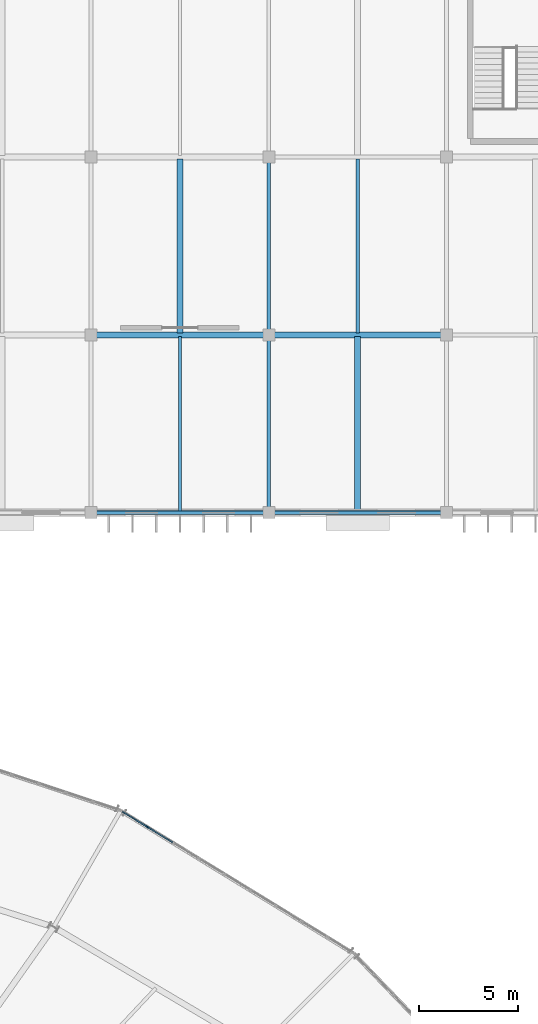
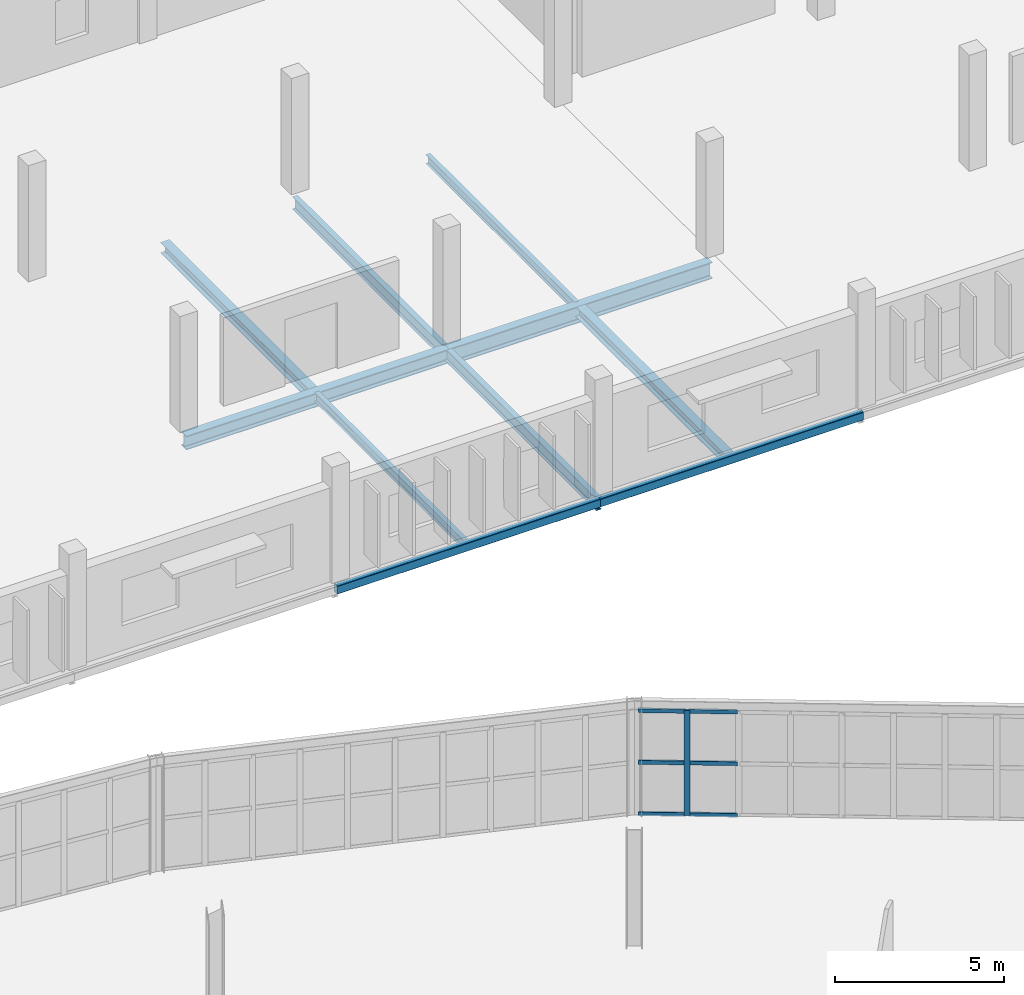
# One storey, part 101 of 161: 10 beams, 7 members, 1 element without a shape of its own.
"""IFC4 building model written with IfcOpenShell, lengths in metres."""

import ifcopenshell
import ifcopenshell.guid

model = None  # the IFC model being written
_history = None  # IfcOwnerHistory: only IFC2X3 demands one
_inside = {}  # id of a spatial element -> (the spatial element, [elements in it])
_under = {}  # id of a project, library or spatial element -> (it, [spatial elements below it])
_declared = {}  # id of a project -> (the project, [libraries it declares])
_typed = {}  # id of a type object -> (the type object, [elements of that type])
_made_of = {}  # id of a material, layer set ... -> (it, [elements and type objects made of it])


def new_model(schema):
    """Start an empty IFC model of exactly this schema.

    Asked for "IFC4X3", IfcOpenShell would pick the latest addendum, in which some entities
    have other attributes; the version numbers below select the first issue.
    IFC2X3 requires an IfcOwnerHistory on every rooted entity: one is made here for all.
    """
    global model, _history
    if schema == "IFC4X3":
        model = ifcopenshell.file(schema_version=(4, 3, 0, 0))
    else:
        model = ifcopenshell.file(schema=schema)
    _inside.clear()
    _under.clear()
    _declared.clear()
    _typed.clear()
    _made_of.clear()
    _history = None
    if model.schema == "IFC2X3":
        org = make("IfcOrganization", Name="unknown")
        user = make(
            "IfcPersonAndOrganization",
            ThePerson=make("IfcPerson", FamilyName="unknown"),
            TheOrganization=org,
        )
        app = make(
            "IfcApplication",
            ApplicationDeveloper=org,
            Version="unknown",
            ApplicationFullName="unknown",
            ApplicationIdentifier="unknown",
        )
        _history = make(
            "IfcOwnerHistory",
            OwningUser=user,
            OwningApplication=app,
            ChangeAction="ADDED",
            CreationDate=0,
        )
    return model


def make(cls, **values):
    """One entity of the class cls with the attributes given. An attribute that is None is left unset."""
    return model.create_entity(
        cls, **{name: value for name, value in values.items() if value is not None}
    )


def rooted(cls, **values):
    """An entity with a GlobalId (a new one), such as an element, a storey or a relation."""
    return make(cls, GlobalId=ifcopenshell.guid.new(), OwnerHistory=_history, **values)


def si_unit(unit_type, name, prefix=None):
    """IfcSIUnit, for example si_unit("LENGTHUNIT", "METRE", prefix="MILLI")."""
    return make("IfcSIUnit", UnitType=unit_type, Prefix=prefix, Name=name)


def assignment(units):
    """IfcUnitAssignment: the units of a project."""
    return None if units is None else make("IfcUnitAssignment", Units=units)


def point(xyz):
    """IfcCartesianPoint."""
    return None if xyz is None else make("IfcCartesianPoint", Coordinates=xyz)


def direction(xyz):
    """IfcDirection."""
    return None if xyz is None else make("IfcDirection", DirectionRatios=xyz)


def frame(location, z_axis=None, x_axis=None):
    """IfcAxis2Placement3D, a coordinate frame: its origin and axes. An axis left out is left unset."""
    return make(
        "IfcAxis2Placement3D",
        Location=point(location),
        Axis=direction(z_axis),
        RefDirection=direction(x_axis),
    )


def frame_2d(location, x_axis=None):
    """IfcAxis2Placement2D, a coordinate frame in the plane: its origin and x axis."""
    return make(
        "IfcAxis2Placement2D", Location=point(location), RefDirection=direction(x_axis)
    )


def origin():
    """The frame at (0, 0, 0) with its axes left unset."""
    return frame((0.0, 0.0, 0.0))


def origin_2d():
    """The frame at (0, 0) in the plane with its x axis left unset."""
    return frame_2d((0.0, 0.0))


def place(relative_to, where):
    """IfcLocalPlacement: puts the frame where relative to a parent placement (None: the world)."""
    return make(
        "IfcLocalPlacement", PlacementRelTo=relative_to, RelativePlacement=where
    )


def context(
    kind, dimensions, precision=None, world=None, true_north=None, identifier=None
):
    """IfcGeometricRepresentationContext, for example the 3D "Model" context."""
    return make(
        "IfcGeometricRepresentationContext",
        ContextIdentifier=identifier,
        ContextType=kind,
        CoordinateSpaceDimension=dimensions,
        Precision=precision,
        WorldCoordinateSystem=world,
        TrueNorth=true_north,
    )


def subcontext(parent, identifier, kind, view, scale=None):
    """IfcGeometricRepresentationSubContext, for example "Body" below "Model"."""
    return make(
        "IfcGeometricRepresentationSubContext",
        ContextIdentifier=identifier,
        ContextType=kind,
        ParentContext=parent,
        TargetScale=scale,
        TargetView=view,
    )


def project(units=None, contexts=None):
    """IfcProject with its units and contexts."""
    return rooted(
        "IfcProject",
        Name="project",
        RepresentationContexts=contexts,
        UnitsInContext=assignment(units),
    )


def spatial(cls, under=None, at=None, **own):
    """A site, building, storey or space (cls), placed at a placement, below another one or the project."""
    s = rooted(cls, ObjectPlacement=at, **own)
    if under is not None:
        _under.setdefault(under.id(), (under, []))[1].append(s)
    return s


def profile(cls, at=None, kind="AREA", **sizes):
    """A parametric profile (cls). Its sizes go by their IFC names, for example OverallWidth=200.0."""
    return make(cls, ProfileType=kind, Position=at, **sizes)


def rectangle(**sizes):
    """IfcRectangleProfileDef."""
    return profile("IfcRectangleProfileDef", **sizes)


def hollow_rectangle(**sizes):
    """IfcRectangleHollowProfileDef."""
    return profile("IfcRectangleHollowProfileDef", **sizes)


def i_section(**sizes):
    """IfcIShapeProfileDef."""
    return profile("IfcIShapeProfileDef", **sizes)


def extrude(swept, where, along, depth):
    """IfcExtrudedAreaSolid: the profile swept, set in the frame where, extruded along a direction by depth."""
    return make(
        "IfcExtrudedAreaSolid",
        SweptArea=swept,
        Position=where,
        ExtrudedDirection=direction(along),
        Depth=depth,
    )


def shape(context_of_items, identifier, shape_type, items):
    """IfcShapeRepresentation: the items that make up one representation, for example the "Body"."""
    return make(
        "IfcShapeRepresentation",
        ContextOfItems=context_of_items,
        RepresentationIdentifier=identifier,
        RepresentationType=shape_type,
        Items=items,
    )


def material(Name=None, Category=None):
    """IfcMaterial."""
    return make("IfcMaterial", Name=Name, Category=Category)


def material_profile(
    of_material, cross_section, Name=None, Category=None, Priority=None
):
    """IfcMaterialProfile: a cross section and its material."""
    return make(
        "IfcMaterialProfile",
        Name=Name,
        Material=of_material,
        Profile=cross_section,
        Priority=Priority,
        Category=Category,
    )


def profile_set(profiles, Name=None, composite=None):
    """IfcMaterialProfileSet."""
    return make(
        "IfcMaterialProfileSet",
        Name=Name,
        MaterialProfiles=profiles,
        CompositeProfile=composite,
    )


def made_of(thing, what):
    """Note that an element or type object is made of a material, layer set ...; save() writes the relation."""
    if what is not None:
        _made_of.setdefault(what.id(), (what, []))[1].append(thing)
    return thing


def type_object(cls, material=None, **own):
    """A type object (cls), such as IfcWallType, which elements share."""
    return made_of(rooted(cls, **own), material)


def element(
    cls,
    number,
    at=None,
    inside=None,
    cuts=None,
    type_object=None,
    material=None,
    context=None,
    identifier="Body",
    shape_type=None,
    held_by="IfcProductDefinitionShape",
    body=None,
    shapes=None,
    **own,
):
    """One element of the class cls, such as IfcWall. Its Tag is "e" and its number.

    at: its placement. inside: the storey or other place that contains it. cuts: it is an
    opening in that element (IfcRelVoidsElement). A single representation is given by context,
    identifier, shape_type and body (its items); several are given by shapes. held_by: the class
    of the entity that holds the representations. save() writes the other relations.
    """
    e = rooted(cls, Tag="e%d" % number, ObjectPlacement=at, **own)
    if body is not None:
        shapes = [shape(context, identifier, shape_type, body)]
    if shapes is not None:
        e.Representation = make(held_by, Representations=shapes)
    if inside is not None:
        _inside.setdefault(inside.id(), (inside, []))[1].append(e)
    if cuts is not None:
        rooted(
            "IfcRelVoidsElement", RelatingBuildingElement=cuts, RelatedOpeningElement=e
        )
    if type_object is not None:
        _typed.setdefault(type_object.id(), (type_object, []))[1].append(e)
    return made_of(e, material)


def aggregate(whole, parts):
    """IfcRelAggregates: a whole, such as a stair, and the parts it consists of."""
    return rooted("IfcRelAggregates", RelatingObject=whole, RelatedObjects=parts)


def save(model, path):
    """Write the relations noted so far, then the file.

    IfcRelAggregates (storeys below a building ...), IfcRelContainedInSpatialStructure (elements
    in a storey), IfcRelDefinesByType, IfcRelAssociatesMaterial and IfcRelDeclares: one each for
    every whole, place, type object, material and project.
    """
    for whole, parts in _under.values():
        aggregate(whole, parts)
    for where, things in _inside.values():
        rooted(
            "IfcRelContainedInSpatialStructure",
            RelatedElements=things,
            RelatingStructure=where,
        )
    for kind, things in _typed.values():
        rooted("IfcRelDefinesByType", RelatedObjects=things, RelatingType=kind)
    for what, things in _made_of.values():
        rooted("IfcRelAssociatesMaterial", RelatedObjects=things, RelatingMaterial=what)
    for by, libraries in _declared.values():
        rooted("IfcRelDeclares", RelatingContext=by, RelatedDefinitions=libraries)
    model.write(path)


model = new_model("IFC4")

# Units and contexts
model_context = context("Model", 3, precision=1e-05, world=origin(), true_north=direction((0.0, 1.0)))
body_context = subcontext(model_context, "Body", "Model", "MODEL_VIEW")
ifc_project = project(units=[si_unit("LENGTHUNIT", "METRE"), si_unit("AREAUNIT", "SQUARE_METRE"), si_unit("VOLUMEUNIT", "CUBIC_METRE"), si_unit("PLANEANGLEUNIT", "RADIAN"), si_unit("MASSUNIT", "GRAM", prefix="KILO")], contexts=[model_context])

# Site, building, storey
site_placement = place(None, origin())
site = spatial("IfcSite", under=ifc_project, at=site_placement, CompositionType="ELEMENT")
building_placement = place(site_placement, origin())
building = spatial("IfcBuilding", under=site, at=building_placement, Name="Kildeholm Park Wholesale Market", CompositionType="ELEMENT")
storey_placement = place(building_placement, frame((0.0, 0.0, 5.39990234375)))
storey = spatial("IfcBuildingStorey", under=building, at=storey_placement, Name="L01", CompositionType="ELEMENT", Elevation=5.39990234375)

# Beams
ifc_material_1 = material(Name="Steel S355", Category="steel")
ifc_material_profile_1 = material_profile(ifc_material_1, i_section(OverallWidth=0.18994140625, OverallDepth=0.449951171875, WebThickness=0.009521484375, FlangeThickness=0.0146484375, FilletRadius=0.02099609375, at=origin_2d()), Name="IPE 450")
ifc_profile_set_1 = profile_set([ifc_material_profile_1], Name="Steel S355")
beam_type_1 = type_object("IfcBeamType", Name="Beam B-P02 IPE 450", PredefinedType="BEAM", material=ifc_profile_set_1)
for number, where, z_axis, x_axis, name in (
    (1, (135.0, 144.0, -0.544921875), (0.0, 1.0, 0.0), (-1.0, 0.0, 0.0), "Beam BM-V4-L01-Y-135-144 BM-0630"),
    (2, (135.0, 153.0, -0.544921875), (0.0, 1.0, 0.0), (-1.0, 0.0, 0.0), "Beam BM-V4-L01-Y-135-153 BM-0633"),
):
    element("IfcBeam", number, at=place(storey_placement, frame(where, z_axis=z_axis, x_axis=x_axis)), inside=storey, type_object=beam_type_1, Name=name, PredefinedType="BEAM", context=body_context, shape_type="SweptSolid", body=[
        extrude(i_section(OverallWidth=0.18994140625, OverallDepth=0.449951171875, WebThickness=0.009521484375, FlangeThickness=0.0146484375, FilletRadius=0.02099609375, at=origin_2d()), origin(), (0.0, 0.0, 1.0), 9.0),
    ])
ifc_material_profile_2 = material_profile(ifc_material_1, i_section(OverallWidth=0.300048828125, OverallDepth=0.5, WebThickness=0.014404296875, FlangeThickness=0.028076171875, FilletRadius=0.027099609375, at=origin_2d()), Name="HEB 500")
ifc_profile_set_2 = profile_set([ifc_material_profile_2], Name="Steel S355")
beam_type_2 = type_object("IfcBeamType", Name="Beam B-X05 HEB 500", PredefinedType="BEAM", material=ifc_profile_set_2)
beam_1_placement = place(storey_placement, frame((126.0, 153.0, -0.56982421875), z_axis=(1.0, 0.0, 0.0), x_axis=(0.0, 1.0, 0.0)))
element("IfcBeam", 3, at=beam_1_placement, inside=storey, type_object=beam_type_2, Name="Beam BM-V4-L01-X-126-153 BM-0622", PredefinedType="BEAM", context=body_context, shape_type="SweptSolid", body=[
    extrude(i_section(OverallWidth=0.300048828125, OverallDepth=0.5, WebThickness=0.014404296875, FlangeThickness=0.028076171875, FilletRadius=0.027099609375, at=origin_2d()), origin(), (0.0, 0.0, 1.0), 9.0),
])
ifc_material_profile_3 = material_profile(ifc_material_1, i_section(OverallWidth=0.300048828125, OverallDepth=0.60009765625, WebThickness=0.015380859375, FlangeThickness=0.030029296875, FilletRadius=0.027099609375, at=origin_2d()), Name="HEB 600")
ifc_profile_set_3 = profile_set([ifc_material_profile_3], Name="Steel S355")
beam_type_3 = type_object("IfcBeamType", Name="Beam B-X06 HEB 600", PredefinedType="BEAM", material=ifc_profile_set_3)
beam_2_placement = place(storey_placement, frame((135.0, 153.0, -0.619873046875), z_axis=(1.0, 0.0, 0.0), x_axis=(0.0, 1.0, 0.0)))
element("IfcBeam", 4, at=beam_2_placement, inside=storey, type_object=beam_type_3, Name="Beam BM-V4-L01-X-135-153 BM-0632", PredefinedType="BEAM", context=body_context, shape_type="SweptSolid", body=[
    extrude(i_section(OverallWidth=0.300048828125, OverallDepth=0.60009765625, WebThickness=0.015380859375, FlangeThickness=0.030029296875, FilletRadius=0.027099609375, at=origin_2d()), origin(), (0.0, 0.0, 1.0), 9.0),
])
ifc_material_profile_4 = material_profile(ifc_material_1, i_section(OverallWidth=0.159912109375, OverallDepth=0.330078125, WebThickness=0.007568359375, FlangeThickness=0.011474609375, FilletRadius=0.01806640625, at=origin_2d()), Name="IPE 330")
ifc_profile_set_4 = profile_set([ifc_material_profile_4], Name="Steel S355")
beam_type_4 = type_object("IfcBeamType", Name="Beam J-03 IPE 330", PredefinedType="JOIST", material=ifc_profile_set_4)
for number, where, z_axis, x_axis, name in (
    (5, (130.5, 144.0849609375, -0.48486328125), (0.0, 1.0, 0.0), (-1.0, 0.0, 0.0), "Beam JT-V4-L01-126-144 BM-0621"),
    (6, (139.5, 153.0849609375, -0.48486328125), (0.0, 1.0, 0.0), (-1.0, 0.0, 0.0), "Beam JT-V4-L01-135-153 BM-0634"),
):
    element("IfcBeam", number, at=place(storey_placement, frame(where, z_axis=z_axis, x_axis=x_axis)), inside=storey, type_object=beam_type_4, Name=name, PredefinedType="JOIST", context=body_context, shape_type="SweptSolid", body=[
        extrude(i_section(OverallWidth=0.159912109375, OverallDepth=0.330078125, WebThickness=0.007568359375, FlangeThickness=0.011474609375, FilletRadius=0.01806640625, at=origin_2d()), origin(), (0.0, 0.0, 1.0), 8.830078125),
    ])
ifc_material_profile_5 = material_profile(ifc_material_1, i_section(OverallWidth=0.300048828125, OverallDepth=0.389892578125, WebThickness=0.010986328125, FlangeThickness=0.01904296875, FilletRadius=0.027099609375, at=origin_2d()), Name="HEA 400")
ifc_profile_set_5 = profile_set([ifc_material_profile_5], Name="Steel S355")
beam_type_5 = type_object("IfcBeamType", Name="Beam J-06 HEA 400", PredefinedType="JOIST", material=ifc_profile_set_5)
for number, where, z_axis, x_axis, name in (
    (7, (130.5, 153.0849609375, -0.514892578125), (0.0, 1.0, 0.0), (-1.0, 0.0, 0.0), "Beam JT-V4-L01-126-153 BM-0624"),
    (8, (139.5, 144.0849609375, -0.514892578125), (0.0, 1.0, 0.0), (-1.0, 0.0, 0.0), "Beam JT-V4-L01-135-144 BM-0631"),
):
    element("IfcBeam", number, at=place(storey_placement, frame(where, z_axis=z_axis, x_axis=x_axis)), inside=storey, type_object=beam_type_5, Name=name, PredefinedType="JOIST", context=body_context, shape_type="SweptSolid", body=[
        extrude(i_section(OverallWidth=0.300048828125, OverallDepth=0.389892578125, WebThickness=0.010986328125, FlangeThickness=0.01904296875, FilletRadius=0.027099609375, at=origin_2d()), origin(), (0.0, 0.0, 1.0), 8.830078125),
    ])
ifc_material_profile_6 = material_profile(ifc_material_1, hollow_rectangle(XDim=0.199951171875, YDim=0.300048828125, WallThickness=0.012451171875, InnerFilletRadius=0.012451171875, OuterFilletRadius=0.02490234375, at=origin_2d()), Name="RHS 300x200x12.5")
ifc_profile_set_6 = profile_set([ifc_material_profile_6], Name="Steel S355")
beam_type_6 = type_object("IfcBeamType", Name="Beam SP-01 RHS 300x200x12.5", PredefinedType="SPANDREL", material=ifc_profile_set_6)
for number, where, z_axis, x_axis, name in (
    (9, (126.0, 144.0, -0.469970703125), (1.0, 0.0, 0.0), (0.0, 1.0, 0.0), "Beam BM-V4-L01-X-126-144 BM-0619"),
    (10, (135.0, 144.0, -0.469970703125), (1.0, 0.0, 0.0), (0.0, 1.0, 0.0), "Beam BM-V4-L01-X-135-144 BM-0629"),
):
    element("IfcBeam", number, at=place(storey_placement, frame(where, z_axis=z_axis, x_axis=x_axis)), inside=storey, type_object=beam_type_6, Name=name, PredefinedType="SPANDREL", context=body_context, shape_type="SweptSolid", body=[
        extrude(hollow_rectangle(XDim=0.199951171875, YDim=0.300048828125, WallThickness=0.012451171875, InnerFilletRadius=0.012451171875, OuterFilletRadius=0.02490234375, at=origin_2d()), origin(), (0.0, 0.0, 1.0), 9.0),
    ])

# Curtain wall, members
ifc_material_2 = material(Name="Anodised aluminium and low-E double-glazed glass", Category="aluminium")
curtain_wall_type = type_object("IfcCurtainWallType", Name="Market hall glazed arcade stick curtain wall CW-01", PredefinedType="NOTDEFINED", material=ifc_material_2)
curtain_wall_placement = place(storey_placement, origin())
curtain_wall = element("IfcCurtainWall", 11, at=curtain_wall_placement, inside=storey, type_object=curtain_wall_type, Name="Curtain wall CW-V1-OT-03-1 CW-0016", PredefinedType="NOTDEFINED")
ifc_material_3 = material(Name="Anodised aluminium", Category="aluminium")
ifc_material_profile_7 = material_profile(ifc_material_3, rectangle(XDim=0.06494140625, YDim=0.179931640625, at=origin_2d()), Name="CWM 65x180")
ifc_profile_set_7 = profile_set([ifc_material_profile_7], Name="Anodised aluminium")
member_type_1 = type_object("IfcMemberType", Name="Curtain-wall mullion CWM-1 CWM 65x180", PredefinedType="MULLION", material=ifc_profile_set_7)
member_1_placement = place(storey_placement, frame((128.84130859375, 128.088134765625, 0.0), z_axis=(0.0, 0.0, 1.0), x_axis=(-0.522284342695, -0.852771402766, 0.0)))
member_1 = element("IfcMember", 12, at=member_1_placement, type_object=member_type_1, Name="CW-01 mullion 9 MEM-0781", PredefinedType="MULLION", context=body_context, shape_type="SweptSolid", body=[
    extrude(rectangle(XDim=0.06494140625, YDim=0.179931640625, at=origin_2d()), origin(), (0.0, 0.0, 1.0), 3.800048828125),
])
ifc_material_profile_8 = material_profile(ifc_material_3, rectangle(XDim=0.06494140625, YDim=0.139892578125, at=origin_2d()), Name="CWT 65x140")
ifc_profile_set_8 = profile_set([ifc_material_profile_8], Name="Anodised aluminium")
member_type_2 = type_object("IfcMemberType", Name="Curtain-wall transom CWT-1 CWT 65x140", PredefinedType="USERDEFINED", material=ifc_profile_set_8)
member_2_placement = place(storey_placement, frame((130.11767578125, 127.306396484375, 0.03271484375), z_axis=(-0.852749773826, 0.522319656187, 0.0), x_axis=(-0.522319656187, -0.852749773826, 0.0)))
member_2 = element("IfcMember", 13, at=member_2_placement, type_object=member_type_2, Name="CW-01 transom 8.1 MEM-0804", ObjectType="TRANSOM", PredefinedType="USERDEFINED", context=body_context, shape_type="SweptSolid", body=[
    extrude(rectangle(XDim=0.06494140625, YDim=0.139892578125, at=origin_2d()), origin(), (0.0, 0.0, 1.0), 1.46435546875),
])
member_3_placement = place(storey_placement, frame((130.11767578125, 127.306396484375, 1.900146484375), z_axis=(-0.852749773826, 0.522319656187, 0.0), x_axis=(-0.522319656187, -0.852749773826, 0.0)))
member_3 = element("IfcMember", 14, at=member_3_placement, type_object=member_type_2, Name="CW-01 transom 8.2 MEM-0805", ObjectType="TRANSOM", PredefinedType="USERDEFINED", context=body_context, shape_type="SweptSolid", body=[
    extrude(rectangle(XDim=0.06494140625, YDim=0.139892578125, at=origin_2d()), origin(), (0.0, 0.0, 1.0), 1.46435546875),
])
member_4_placement = place(storey_placement, frame((130.11767578125, 127.306396484375, 3.767578125), z_axis=(-0.852749773826, 0.522319656187, 0.0), x_axis=(-0.522319656187, -0.852749773826, 0.0)))
member_4 = element("IfcMember", 15, at=member_4_placement, type_object=member_type_2, Name="CW-01 transom 8.3 MEM-0806", ObjectType="TRANSOM", PredefinedType="USERDEFINED", context=body_context, shape_type="SweptSolid", body=[
    extrude(rectangle(XDim=0.06494140625, YDim=0.139892578125, at=origin_2d()), origin(), (0.0, 0.0, 1.0), 1.46435546875),
])
member_5_placement = place(storey_placement, frame((128.8134765625, 128.105224609375, 0.03271484375), z_axis=(-0.85276295906, 0.522298129094, 0.0), x_axis=(-0.522298129094, -0.85276295906, 0.0)))
member_5 = element("IfcMember", 16, at=member_5_placement, type_object=member_type_2, Name="CW-01 transom 9.1 MEM-0807", ObjectType="TRANSOM", PredefinedType="USERDEFINED", context=body_context, shape_type="SweptSolid", body=[
    extrude(rectangle(XDim=0.06494140625, YDim=0.139892578125, at=origin_2d()), origin(), (0.0, 0.0, 1.0), 1.431640625),
])
member_6_placement = place(storey_placement, frame((128.8134765625, 128.105224609375, 1.900146484375), z_axis=(-0.85276295906, 0.522298129094, 0.0), x_axis=(-0.522298129094, -0.85276295906, 0.0)))
member_6 = element("IfcMember", 17, at=member_6_placement, type_object=member_type_2, Name="CW-01 transom 9.2 MEM-0808", ObjectType="TRANSOM", PredefinedType="USERDEFINED", context=body_context, shape_type="SweptSolid", body=[
    extrude(rectangle(XDim=0.06494140625, YDim=0.139892578125, at=origin_2d()), origin(), (0.0, 0.0, 1.0), 1.431640625),
])
member_7_placement = place(storey_placement, frame((128.8134765625, 128.105224609375, 3.767578125), z_axis=(-0.85276295906, 0.522298129094, 0.0), x_axis=(-0.522298129094, -0.85276295906, 0.0)))
member_7 = element("IfcMember", 18, at=member_7_placement, type_object=member_type_2, Name="CW-01 transom 9.3 MEM-0809", ObjectType="TRANSOM", PredefinedType="USERDEFINED", context=body_context, shape_type="SweptSolid", body=[
    extrude(rectangle(XDim=0.06494140625, YDim=0.139892578125, at=origin_2d()), origin(), (0.0, 0.0, 1.0), 1.431640625),
])
aggregate(curtain_wall, [member_1, member_2, member_3, member_4, member_5, member_6, member_7])

save(model, "model.ifc")
